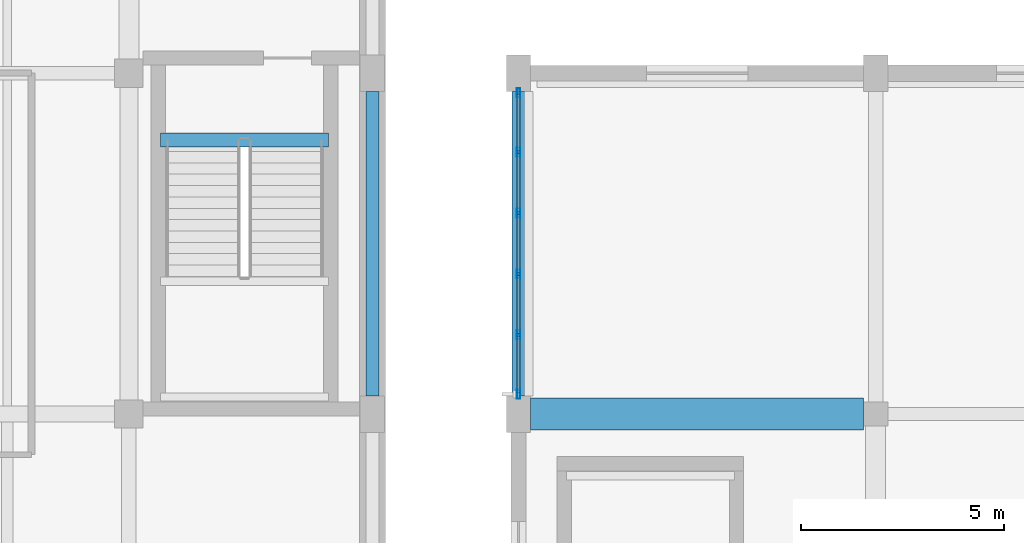
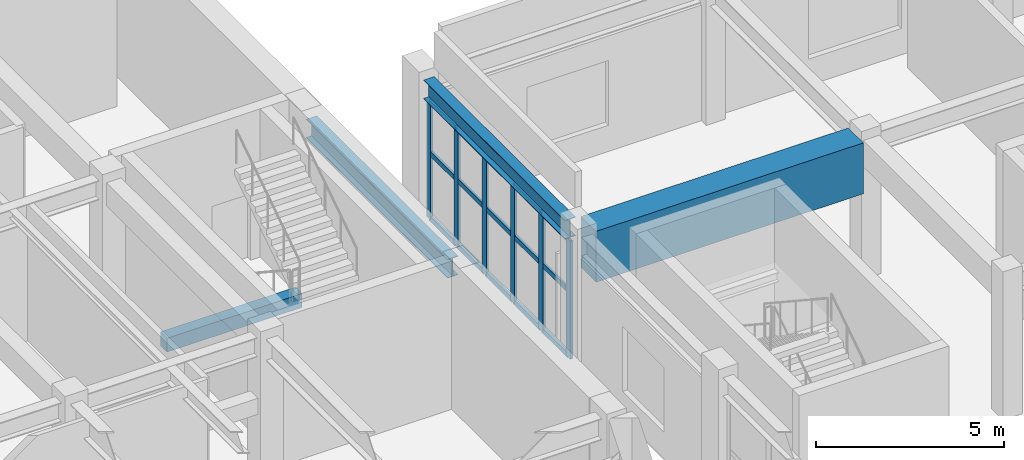
# One storey, part 51 of 96: 21 members, 4 beams, 1 element without a shape of its own.
"""IFC4 building model written with IfcOpenShell, lengths in metres."""

from ifc_helpers import new_model, si_unit, direction, frame, origin, origin_2d, place, context, subcontext, project, spatial, rectangle, hollow_rectangle, i_section, extrude, material, layer, layer_set, material_profile, profile_set, type_object, element, aggregate, save


model = new_model("IFC4")

# Units and contexts
model_context = context("Model", 3, precision=1e-05, world=origin(), true_north=direction((0.0, 1.0)))
body_context = subcontext(model_context, "Body", "Model", "MODEL_VIEW")
ifc_project = project(units=[si_unit("LENGTHUNIT", "METRE"), si_unit("AREAUNIT", "SQUARE_METRE"), si_unit("VOLUMEUNIT", "CUBIC_METRE"), si_unit("PLANEANGLEUNIT", "RADIAN"), si_unit("MASSUNIT", "GRAM", prefix="KILO")], contexts=[model_context])

# Site, building, storey
site_placement = place(None, origin())
site = spatial("IfcSite", under=ifc_project, at=site_placement, CompositionType="ELEMENT")
building_placement = place(site_placement, origin())
building = spatial("IfcBuilding", under=site, at=building_placement, Name="Vaelkrest Opera House", CompositionType="ELEMENT")
storey_placement = place(building_placement, frame((0.0, 0.0, 5.39990234375)))
storey = spatial("IfcBuildingStorey", under=building, at=storey_placement, Name="L01", CompositionType="ELEMENT", Elevation=5.39990234375)

# Beam
ifc_material_1 = material(Name="Concrete C50/60", Category="concrete")
ifc_material_profile_1 = material_profile(ifc_material_1, rectangle(XDim=0.800048828125, YDim=1.64990234375, at=origin_2d()), Name="RCB800X1650")
ifc_profile_set_1 = profile_set([ifc_material_profile_1], Name="Concrete C50/60")
beam_type_1 = type_object("IfcBeamType", Name="B07", PredefinedType="BEAM", material=ifc_profile_set_1)
beam_1_placement = place(storey_placement, frame((33.89990234375, 25.199951171875, 3.675048828125), z_axis=(1.0, 0.0, 0.0), x_axis=(0.0, 1.0, 0.0)))
element("IfcBeam", 1, at=beam_1_placement, inside=storey, type_object=beam_type_1, Name="Beam BM-V4-L01-2152", PredefinedType="BEAM", context=body_context, shape_type="SweptSolid", body=[
    extrude(rectangle(XDim=0.800048828125, YDim=1.64990234375, at=origin_2d()), origin(), (0.0, 0.0, 1.0), 8.2001953125),
])

# Curtain wall, members
ifc_material_2 = material(Name="Dark bronze anodized aluminium", Category="aluminium")
ifc_layer = layer(ifc_material_2, 0.199951171875)
ifc_layer_set = layer_set([ifc_layer], Name="Dark bronze anodized aluminium")
curtain_wall_type = type_object("IfcCurtainWallType", Name="CW03", PredefinedType="NOTDEFINED", material=ifc_layer_set)
curtain_wall_placement = place(storey_placement, origin())
curtain_wall = element("IfcCurtainWall", 2, at=curtain_wall_placement, inside=storey, type_object=curtain_wall_type, Name="Curtain wall CW-L01-156", PredefinedType="NOTDEFINED")
ifc_material_profile_2 = material_profile(ifc_material_2, hollow_rectangle(XDim=0.074951171875, YDim=0.219970703125, WallThickness=0.00439453125, at=origin_2d()), Name="CWM75X220")
ifc_profile_set_2 = profile_set([ifc_material_profile_2], Name="Dark bronze anodized aluminium")
member_type_1 = type_object("IfcMemberType", Name="CWM03", PredefinedType="MULLION", material=ifc_profile_set_2)
member_1_placement = place(storey_placement, frame((33.60009765625, 25.685546875, 0.0), z_axis=(0.0, 0.0, 1.0), x_axis=(-1.0, 0.0, 0.0)))
member_1 = element("IfcMember", 3, at=member_1_placement, type_object=member_type_1, Name="CW03 mullion 1", PredefinedType="MULLION", context=body_context, shape_type="SweptSolid", body=[
    extrude(hollow_rectangle(XDim=0.074951171875, YDim=0.219970703125, WallThickness=0.00439453125, at=origin_2d()), origin(), (0.0, 0.0, 1.0), 3.8291015625),
])
member_2_placement = place(storey_placement, frame((33.60009765625, 27.148681640625, 0.0), z_axis=(0.0, 0.0, 1.0), x_axis=(-1.0, 0.0, 0.0)))
member_2 = element("IfcMember", 4, at=member_2_placement, type_object=member_type_1, Name="CW03 mullion 2", PredefinedType="MULLION", context=body_context, shape_type="SweptSolid", body=[
    extrude(hollow_rectangle(XDim=0.074951171875, YDim=0.219970703125, WallThickness=0.00439453125, at=origin_2d()), origin(), (0.0, 0.0, 1.0), 3.8291015625),
])
member_3_placement = place(storey_placement, frame((33.60009765625, 28.649658203125, 0.0), z_axis=(0.0, 0.0, 1.0), x_axis=(-1.0, 0.0, 0.0)))
member_3 = element("IfcMember", 5, at=member_3_placement, type_object=member_type_1, Name="CW03 mullion 3", PredefinedType="MULLION", context=body_context, shape_type="SweptSolid", body=[
    extrude(hollow_rectangle(XDim=0.074951171875, YDim=0.219970703125, WallThickness=0.00439453125, at=origin_2d()), origin(), (0.0, 0.0, 1.0), 3.8291015625),
])
member_4_placement = place(storey_placement, frame((33.60009765625, 30.150390625, 0.0), z_axis=(0.0, 0.0, 1.0), x_axis=(-1.0, 0.0, 0.0)))
member_4 = element("IfcMember", 6, at=member_4_placement, type_object=member_type_1, Name="CW03 mullion 4", PredefinedType="MULLION", context=body_context, shape_type="SweptSolid", body=[
    extrude(hollow_rectangle(XDim=0.074951171875, YDim=0.219970703125, WallThickness=0.00439453125, at=origin_2d()), origin(), (0.0, 0.0, 1.0), 3.8291015625),
])
member_5_placement = place(storey_placement, frame((33.60009765625, 31.651123046875, 0.0), z_axis=(0.0, 0.0, 1.0), x_axis=(-1.0, 0.0, 0.0)))
member_5 = element("IfcMember", 7, at=member_5_placement, type_object=member_type_1, Name="CW03 mullion 5", PredefinedType="MULLION", context=body_context, shape_type="SweptSolid", body=[
    extrude(hollow_rectangle(XDim=0.074951171875, YDim=0.219970703125, WallThickness=0.00439453125, at=origin_2d()), origin(), (0.0, 0.0, 1.0), 3.8291015625),
])
member_6_placement = place(storey_placement, frame((33.60009765625, 33.114501953125, 0.0), z_axis=(0.0, 0.0, 1.0), x_axis=(-1.0, 0.0, 0.0)))
member_6 = element("IfcMember", 8, at=member_6_placement, type_object=member_type_1, Name="CW03 mullion 6", PredefinedType="MULLION", context=body_context, shape_type="SweptSolid", body=[
    extrude(hollow_rectangle(XDim=0.074951171875, YDim=0.219970703125, WallThickness=0.00439453125, at=origin_2d()), origin(), (0.0, 0.0, 1.0), 3.8291015625),
])
ifc_material_profile_3 = material_profile(ifc_material_2, hollow_rectangle(XDim=0.074951171875, YDim=0.159912109375, WallThickness=0.00439453125, at=origin_2d()), Name="CWT75X160")
ifc_profile_set_3 = profile_set([ifc_material_profile_3], Name="Dark bronze anodized aluminium")
member_type_2 = type_object("IfcMemberType", Name="CWT03", PredefinedType="USERDEFINED", material=ifc_profile_set_3)
member_7_placement = place(storey_placement, frame((33.60009765625, 25.722900390625, 0.03759765625), z_axis=(0.0, 1.0, 0.0), x_axis=(-1.0, 0.0, 0.0)))
member_7 = element("IfcMember", 9, at=member_7_placement, type_object=member_type_2, Name="CW03 transom 1.1", ObjectType="TRANSOM", PredefinedType="USERDEFINED", context=body_context, shape_type="SweptSolid", body=[
    extrude(hollow_rectangle(XDim=0.074951171875, YDim=0.159912109375, WallThickness=0.00439453125, at=origin_2d()), origin(), (0.0, 0.0, 1.0), 1.388427734375),
])
member_8_placement = place(storey_placement, frame((33.60009765625, 25.722900390625, 2.150146484375), z_axis=(0.0, 1.0, 0.0), x_axis=(-1.0, 0.0, 0.0)))
member_8 = element("IfcMember", 10, at=member_8_placement, type_object=member_type_2, Name="CW03 transom 1.2", ObjectType="TRANSOM", PredefinedType="USERDEFINED", context=body_context, shape_type="SweptSolid", body=[
    extrude(hollow_rectangle(XDim=0.074951171875, YDim=0.159912109375, WallThickness=0.00439453125, at=origin_2d()), origin(), (0.0, 0.0, 1.0), 1.388427734375),
])
member_9_placement = place(storey_placement, frame((33.60009765625, 25.722900390625, 3.79150390625), z_axis=(0.0, 1.0, 0.0), x_axis=(-1.0, 0.0, 0.0)))
member_9 = element("IfcMember", 11, at=member_9_placement, type_object=member_type_2, Name="CW03 transom 1.3", ObjectType="TRANSOM", PredefinedType="USERDEFINED", context=body_context, shape_type="SweptSolid", body=[
    extrude(hollow_rectangle(XDim=0.074951171875, YDim=0.159912109375, WallThickness=0.00439453125, at=origin_2d()), origin(), (0.0, 0.0, 1.0), 1.388427734375),
])
member_10_placement = place(storey_placement, frame((33.60009765625, 27.186279296875, 0.03759765625), z_axis=(0.0, 1.0, 0.0), x_axis=(-1.0, 0.0, 0.0)))
member_10 = element("IfcMember", 12, at=member_10_placement, type_object=member_type_2, Name="CW03 transom 2.1", ObjectType="TRANSOM", PredefinedType="USERDEFINED", context=body_context, shape_type="SweptSolid", body=[
    extrude(hollow_rectangle(XDim=0.074951171875, YDim=0.159912109375, WallThickness=0.00439453125, at=origin_2d()), origin(), (0.0, 0.0, 1.0), 1.42578125),
])
member_11_placement = place(storey_placement, frame((33.60009765625, 27.186279296875, 2.150146484375), z_axis=(0.0, 1.0, 0.0), x_axis=(-1.0, 0.0, 0.0)))
member_11 = element("IfcMember", 13, at=member_11_placement, type_object=member_type_2, Name="CW03 transom 2.2", ObjectType="TRANSOM", PredefinedType="USERDEFINED", context=body_context, shape_type="SweptSolid", body=[
    extrude(hollow_rectangle(XDim=0.074951171875, YDim=0.159912109375, WallThickness=0.00439453125, at=origin_2d()), origin(), (0.0, 0.0, 1.0), 1.42578125),
])
member_12_placement = place(storey_placement, frame((33.60009765625, 27.186279296875, 3.79150390625), z_axis=(0.0, 1.0, 0.0), x_axis=(-1.0, 0.0, 0.0)))
member_12 = element("IfcMember", 14, at=member_12_placement, type_object=member_type_2, Name="CW03 transom 2.3", ObjectType="TRANSOM", PredefinedType="USERDEFINED", context=body_context, shape_type="SweptSolid", body=[
    extrude(hollow_rectangle(XDim=0.074951171875, YDim=0.159912109375, WallThickness=0.00439453125, at=origin_2d()), origin(), (0.0, 0.0, 1.0), 1.42578125),
])
member_13_placement = place(storey_placement, frame((33.60009765625, 28.68701171875, 0.03759765625), z_axis=(0.0, 1.0, 0.0), x_axis=(-1.0, 0.0, 0.0)))
member_13 = element("IfcMember", 15, at=member_13_placement, type_object=member_type_2, Name="CW03 transom 3.1", ObjectType="TRANSOM", PredefinedType="USERDEFINED", context=body_context, shape_type="SweptSolid", body=[
    extrude(hollow_rectangle(XDim=0.074951171875, YDim=0.159912109375, WallThickness=0.00439453125, at=origin_2d()), origin(), (0.0, 0.0, 1.0), 1.42578125),
])
member_14_placement = place(storey_placement, frame((33.60009765625, 28.68701171875, 2.150146484375), z_axis=(0.0, 1.0, 0.0), x_axis=(-1.0, 0.0, 0.0)))
member_14 = element("IfcMember", 16, at=member_14_placement, type_object=member_type_2, Name="CW03 transom 3.2", ObjectType="TRANSOM", PredefinedType="USERDEFINED", context=body_context, shape_type="SweptSolid", body=[
    extrude(hollow_rectangle(XDim=0.074951171875, YDim=0.159912109375, WallThickness=0.00439453125, at=origin_2d()), origin(), (0.0, 0.0, 1.0), 1.42578125),
])
member_15_placement = place(storey_placement, frame((33.60009765625, 28.68701171875, 3.79150390625), z_axis=(0.0, 1.0, 0.0), x_axis=(-1.0, 0.0, 0.0)))
member_15 = element("IfcMember", 17, at=member_15_placement, type_object=member_type_2, Name="CW03 transom 3.3", ObjectType="TRANSOM", PredefinedType="USERDEFINED", context=body_context, shape_type="SweptSolid", body=[
    extrude(hollow_rectangle(XDim=0.074951171875, YDim=0.159912109375, WallThickness=0.00439453125, at=origin_2d()), origin(), (0.0, 0.0, 1.0), 1.42578125),
])
member_16_placement = place(storey_placement, frame((33.60009765625, 30.18798828125, 0.03759765625), z_axis=(0.0, 1.0, 0.0), x_axis=(-1.0, 0.0, 0.0)))
member_16 = element("IfcMember", 18, at=member_16_placement, type_object=member_type_2, Name="CW03 transom 4.1", ObjectType="TRANSOM", PredefinedType="USERDEFINED", context=body_context, shape_type="SweptSolid", body=[
    extrude(hollow_rectangle(XDim=0.074951171875, YDim=0.159912109375, WallThickness=0.00439453125, at=origin_2d()), origin(), (0.0, 0.0, 1.0), 1.42578125),
])
member_17_placement = place(storey_placement, frame((33.60009765625, 30.18798828125, 2.150146484375), z_axis=(0.0, 1.0, 0.0), x_axis=(-1.0, 0.0, 0.0)))
member_17 = element("IfcMember", 19, at=member_17_placement, type_object=member_type_2, Name="CW03 transom 4.2", ObjectType="TRANSOM", PredefinedType="USERDEFINED", context=body_context, shape_type="SweptSolid", body=[
    extrude(hollow_rectangle(XDim=0.074951171875, YDim=0.159912109375, WallThickness=0.00439453125, at=origin_2d()), origin(), (0.0, 0.0, 1.0), 1.42578125),
])
member_18_placement = place(storey_placement, frame((33.60009765625, 30.18798828125, 3.79150390625), z_axis=(0.0, 1.0, 0.0), x_axis=(-1.0, 0.0, 0.0)))
member_18 = element("IfcMember", 20, at=member_18_placement, type_object=member_type_2, Name="CW03 transom 4.3", ObjectType="TRANSOM", PredefinedType="USERDEFINED", context=body_context, shape_type="SweptSolid", body=[
    extrude(hollow_rectangle(XDim=0.074951171875, YDim=0.159912109375, WallThickness=0.00439453125, at=origin_2d()), origin(), (0.0, 0.0, 1.0), 1.42578125),
])
member_19_placement = place(storey_placement, frame((33.60009765625, 31.688720703125, 0.03759765625), z_axis=(0.0, 1.0, 0.0), x_axis=(-1.0, 0.0, 0.0)))
member_19 = element("IfcMember", 21, at=member_19_placement, type_object=member_type_2, Name="CW03 transom 5.1", ObjectType="TRANSOM", PredefinedType="USERDEFINED", context=body_context, shape_type="SweptSolid", body=[
    extrude(hollow_rectangle(XDim=0.074951171875, YDim=0.159912109375, WallThickness=0.00439453125, at=origin_2d()), origin(), (0.0, 0.0, 1.0), 1.38818359375),
])
member_20_placement = place(storey_placement, frame((33.60009765625, 31.688720703125, 2.150146484375), z_axis=(0.0, 1.0, 0.0), x_axis=(-1.0, 0.0, 0.0)))
member_20 = element("IfcMember", 22, at=member_20_placement, type_object=member_type_2, Name="CW03 transom 5.2", ObjectType="TRANSOM", PredefinedType="USERDEFINED", context=body_context, shape_type="SweptSolid", body=[
    extrude(hollow_rectangle(XDim=0.074951171875, YDim=0.159912109375, WallThickness=0.00439453125, at=origin_2d()), origin(), (0.0, 0.0, 1.0), 1.38818359375),
])
member_21_placement = place(storey_placement, frame((33.60009765625, 31.688720703125, 3.79150390625), z_axis=(0.0, 1.0, 0.0), x_axis=(-1.0, 0.0, 0.0)))
member_21 = element("IfcMember", 23, at=member_21_placement, type_object=member_type_2, Name="CW03 transom 5.3", ObjectType="TRANSOM", PredefinedType="USERDEFINED", context=body_context, shape_type="SweptSolid", body=[
    extrude(hollow_rectangle(XDim=0.074951171875, YDim=0.159912109375, WallThickness=0.00439453125, at=origin_2d()), origin(), (0.0, 0.0, 1.0), 1.38818359375),
])
aggregate(curtain_wall, [member_1, member_2, member_3, member_4, member_5, member_6, member_7, member_8, member_9, member_10, member_11, member_12, member_13, member_14, member_15, member_16, member_17, member_18, member_19, member_20, member_21])

# Beams
ifc_material_profile_4 = material_profile(ifc_material_1, rectangle(XDim=0.35009765625, YDim=0.449951171875, at=origin_2d()), Name="RCB350X450")
ifc_profile_set_4 = profile_set([ifc_material_profile_4], Name="Concrete C50/60")
beam_type_2 = type_object("IfcBeamType", Name="LN01", PredefinedType="LINTEL", material=ifc_profile_set_4)
beam_2_placement = place(storey_placement, frame((24.780029296875, 31.949951171875, -0.224853515625), z_axis=(1.0, 0.0, 0.0), x_axis=(0.0, 1.0, 0.0)))
element("IfcBeam", 24, at=beam_2_placement, inside=storey, type_object=beam_type_2, Name="Stairwell trimmer beam ST06 L01", PredefinedType="LINTEL", context=body_context, shape_type="SweptSolid", body=[
    extrude(rectangle(XDim=0.35009765625, YDim=0.449951171875, at=origin_2d()), origin(), (0.0, 0.0, 1.0), 4.139892578125),
])
ifc_material_3 = material(Name="Steel A992 Gr50", Category="steel")
ifc_material_profile_5 = material_profile(ifc_material_3, i_section(OverallWidth=0.323974609375, OverallDepth=0.611083984375, WebThickness=0.0126953125, FlangeThickness=0.01904296875, at=origin_2d()), Name="W24X104")
ifc_profile_set_5 = profile_set([ifc_material_profile_5], Name="Steel A992 Gr50")
beam_type_3 = type_object("IfcBeamType", Name="SP01", PredefinedType="SPANDREL", material=ifc_profile_set_5)
for number, where, z_axis, x_axis, name in (
    (25, (30.0, 25.64990234375, 4.194580078125), (0.0, 1.0, 0.0), (-1.0, 0.0, 0.0), "Beam BM-V2-L01-0935"),
    (26, (33.60009765625, 25.64990234375, 4.19970703125), (0.0, 1.0, 0.0), (-1.0, 0.0, 0.0), "Beam BM-V4-L01-2171"),
):
    element("IfcBeam", number, at=place(storey_placement, frame(where, z_axis=z_axis, x_axis=x_axis)), inside=storey, type_object=beam_type_3, Name=name, PredefinedType="SPANDREL", context=body_context, shape_type="SweptSolid", body=[
        extrude(i_section(OverallWidth=0.323974609375, OverallDepth=0.611083984375, WebThickness=0.0126953125, FlangeThickness=0.01904296875, at=origin_2d()), origin(), (0.0, 0.0, 1.0), 7.5),
    ])

save(model, "model.ifc")
